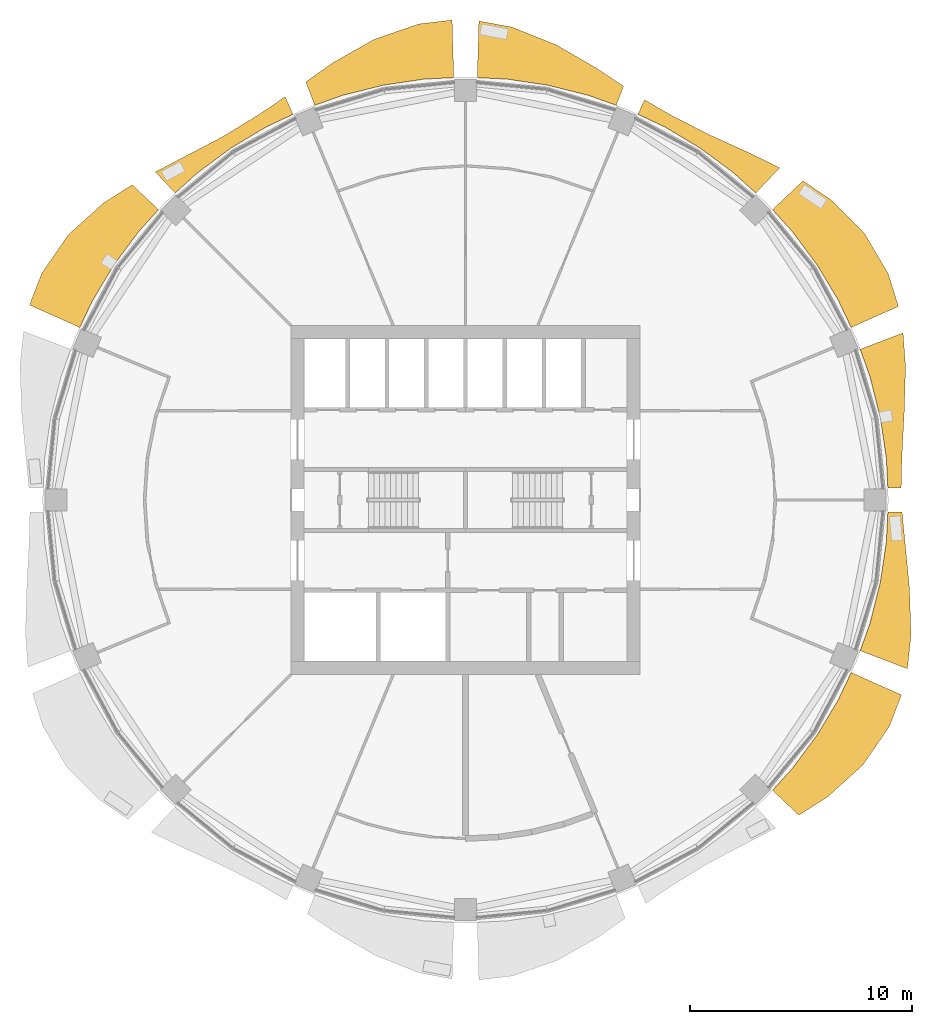
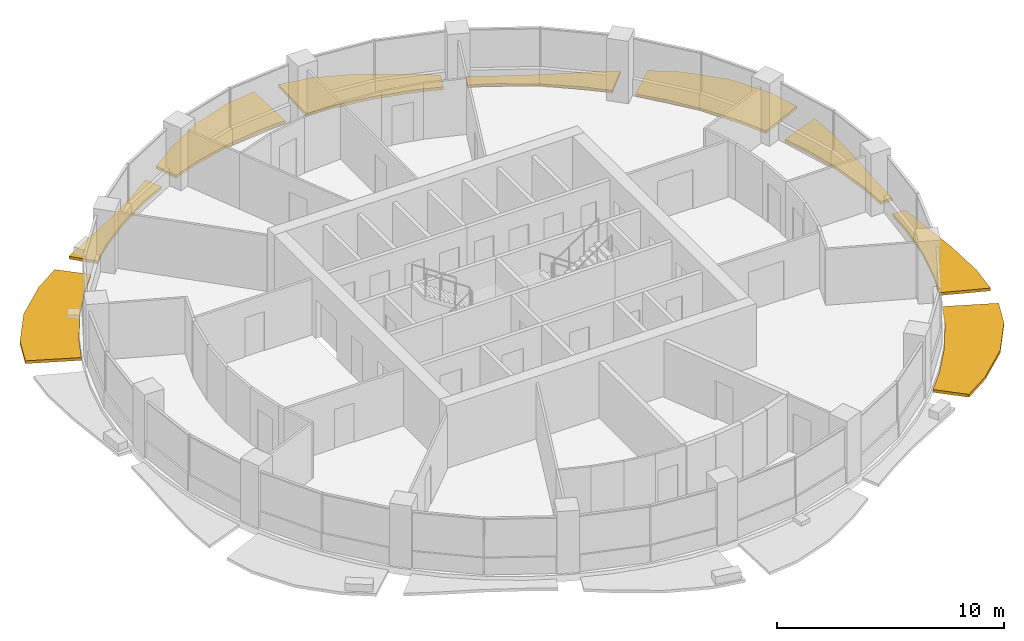
# One storey, part 14 of 15: 9 shading devices.
"""IFC4 building model written with IfcOpenShell, lengths in metres."""

from ifc_helpers import new_model, si_unit, direction, frame, origin, place, context, subcontext, project, spatial, polyline, outline, extrude, material, type_object, element, save


model = new_model("IFC4")

# Units and contexts
model_context = context("Model", 3, precision=1e-05, world=origin(), true_north=direction((0.0, 1.0)))
body_context = subcontext(model_context, "Body", "Model", "MODEL_VIEW")
ifc_project = project(units=[si_unit("LENGTHUNIT", "METRE"), si_unit("AREAUNIT", "SQUARE_METRE"), si_unit("VOLUMEUNIT", "CUBIC_METRE"), si_unit("PLANEANGLEUNIT", "RADIAN"), si_unit("MASSUNIT", "GRAM", prefix="KILO")], contexts=[model_context])

# Site, building, storey
site_placement = place(None, origin())
site = spatial("IfcSite", under=ifc_project, at=site_placement, CompositionType="ELEMENT")
building_placement = place(site_placement, origin())
building = spatial("IfcBuilding", under=site, at=building_placement, Name="Polderwave Tower", CompositionType="ELEMENT")
storey_placement = place(building_placement, frame((0.0, 0.0, 127.64990234375)))
storey = spatial("IfcBuildingStorey", under=building, at=storey_placement, Name="L33", CompositionType="ELEMENT", Elevation=127.64990234375)

# Shading devices
ifc_material = material(Name="Terracotta", Category="masonry")
shading_device_type = type_object("IfcShadingDeviceType", Name="Terracotta sunshade band", PredefinedType="USERDEFINED", material=ifc_material)
shading_device_1_placement = place(storey_placement, frame((0.0, 0.0, -0.349853515625)))
element("IfcShadingDevice", 1, at=shading_device_1_placement, inside=storey, type_object=shading_device_type, Name="Sunshade band L33 1", ObjectType="SUNSHADE", PredefinedType="USERDEFINED", context=body_context, shape_type="SweptSolid", body=[
    extrude(outline(polyline([(19.033935546875, 0.52978515625), (18.96826171875, 1.8681640625), (18.69384765625, 3.718505859375), (18.2392578125, 5.53271484375), (17.787841796875, 6.79443359375), (19.72021484375, 7.532470703125), (19.8330078125, 6.016357421875), (19.772705078125, 3.93310546875), (19.66796875, 1.93701171875), (19.634521484375, 0.546630859375), (19.033935546875, 0.52978515625)])), origin(), (0.0, 0.0, 1.0), 0.14990234375),
])
shading_device_2_placement = place(storey_placement, frame((0.0, 0.0, -0.349853515625)))
element("IfcShadingDevice", 2, at=shading_device_2_placement, inside=storey, type_object=shading_device_type, Name="Sunshade band L33 2", ObjectType="SUNSHADE", PredefinedType="USERDEFINED", context=body_context, shape_type="SweptSolid", body=[
    extrude(outline(polyline([(17.38232421875, 7.7734375), (16.809326171875, 8.98486328125), (15.847900390625, 10.589111328125), (14.733642578125, 12.091552734375), (13.833740234375, 13.08447265625), (15.209228515625, 14.385498046875), (16.47998046875, 13.52490234375), (17.981201171875, 12.0146484375), (19.0556640625, 10.185302734375), (19.51123046875, 8.7255859375), (17.38232421875, 7.7734375)])), origin(), (0.0, 0.0, 1.0), 0.14990234375),
])
shading_device_3_placement = place(storey_placement, frame((0.0, 0.0, -0.349853515625)))
element("IfcShadingDevice", 3, at=shading_device_3_placement, inside=storey, type_object=shading_device_type, Name="Sunshade band L33 3", ObjectType="SUNSHADE", PredefinedType="USERDEFINED", context=body_context, shape_type="SweptSolid", body=[
    extrude(outline(polyline([(13.08447265625, 13.833740234375), (12.091552734375, 14.733642578125), (10.589111328125, 15.847900390625), (8.98486328125, 16.809326171875), (7.7734375, 17.38232421875), (8.066162109375, 18.036376953125), (9.268798828125, 17.340576171875), (10.996826171875, 16.4580078125), (12.825927734375, 15.62841796875), (14.158935546875, 14.969970703125), (13.08447265625, 13.833740234375)])), origin(), (0.0, 0.0, 1.0), 0.14990234375),
])
shading_device_4_placement = place(storey_placement, frame((0.0, 0.0, -0.349853515625)))
element("IfcShadingDevice", 4, at=shading_device_4_placement, inside=storey, type_object=shading_device_type, Name="Sunshade band L33 4", ObjectType="SUNSHADE", PredefinedType="USERDEFINED", context=body_context, shape_type="SweptSolid", body=[
    extrude(outline(polyline([(6.79443359375, 17.787841796875), (5.53271484375, 18.2392578125), (3.718505859375, 18.69384765625), (1.8681640625, 18.96826171875), (0.52978515625, 19.033935546875), (0.60107421875, 21.589111328125), (2.0986328125, 21.308837890625), (4.0810546875, 20.516845703125), (5.904052734375, 19.462890625), (7.122314453125, 18.646240234375), (6.79443359375, 17.787841796875)])), origin(), (0.0, 0.0, 1.0), 0.14990234375),
])
shading_device_5_placement = place(storey_placement, frame((0.0, 0.0, -0.349853515625)))
element("IfcShadingDevice", 5, at=shading_device_5_placement, inside=storey, type_object=shading_device_type, Name="Sunshade band L33 5", ObjectType="SUNSHADE", PredefinedType="USERDEFINED", context=body_context, shape_type="SweptSolid", body=[
    extrude(outline(polyline([(-0.52978515625, 19.033935546875), (-1.8681640625, 18.96826171875), (-3.718505859375, 18.69384765625), (-5.53271484375, 18.2392578125), (-6.79443359375, 17.787841796875), (-7.1982421875, 18.844970703125), (-5.978271484375, 19.707763671875), (-4.128173828125, 20.75341796875), (-2.11279296875, 21.452880859375), (-0.602294921875, 21.63232421875), (-0.52978515625, 19.033935546875)])), origin(), (0.0, 0.0, 1.0), 0.14990234375),
])
shading_device_6_placement = place(storey_placement, frame((0.0, 0.0, -0.349853515625)))
element("IfcShadingDevice", 6, at=shading_device_6_placement, inside=storey, type_object=shading_device_type, Name="Sunshade band L33 6", ObjectType="SUNSHADE", PredefinedType="USERDEFINED", context=body_context, shape_type="SweptSolid", body=[
    extrude(outline(polyline([(-7.7734375, 17.38232421875), (-8.98486328125, 16.809326171875), (-10.589111328125, 15.847900390625), (-12.091552734375, 14.733642578125), (-13.08447265625, 13.833740234375), (-13.982177734375, 14.782958984375), (-12.688232421875, 15.460693359375), (-10.94140625, 16.375), (-9.292724609375, 17.385498046875), (-8.127685546875, 18.174560546875), (-7.7734375, 17.38232421875)])), origin(), (0.0, 0.0, 1.0), 0.14990234375),
])
shading_device_7_placement = place(storey_placement, frame((0.0, 0.0, -0.349853515625)))
element("IfcShadingDevice", 7, at=shading_device_7_placement, inside=storey, type_object=shading_device_type, Name="Sunshade band L33 7", ObjectType="SUNSHADE", PredefinedType="USERDEFINED", context=body_context, shape_type="SweptSolid", body=[
    extrude(outline(polyline([(-13.833740234375, 13.08447265625), (-14.733642578125, 12.091552734375), (-15.847900390625, 10.589111328125), (-16.809326171875, 8.98486328125), (-17.38232421875, 7.7734375), (-19.6494140625, 8.787353515625), (-19.1005859375, 10.20947265625), (-17.898193359375, 11.959228515625), (-16.312255859375, 13.38720703125), (-15.0224609375, 14.208740234375), (-13.833740234375, 13.08447265625)])), origin(), (0.0, 0.0, 1.0), 0.14990234375),
])
shading_device_8_placement = place(storey_placement, frame((0.0, 0.0, -0.349853515625)))
element("IfcShadingDevice", 8, at=shading_device_8_placement, inside=storey, type_object=shading_device_type, Name="Sunshade band L33 15", ObjectType="SUNSHADE", PredefinedType="USERDEFINED", context=body_context, shape_type="SweptSolid", body=[
    extrude(outline(polyline([(13.833740234375, -13.08447265625), (14.733642578125, -12.091552734375), (15.847900390625, -10.589111328125), (16.809326171875, -8.98486328125), (17.38232421875, -7.7734375), (19.6494140625, -8.787353515625), (19.1005859375, -10.20947265625), (17.898193359375, -11.959228515625), (16.312255859375, -13.38720703125), (15.0224609375, -14.208740234375), (13.833740234375, -13.08447265625)])), origin(), (0.0, 0.0, 1.0), 0.14990234375),
])
shading_device_9_placement = place(storey_placement, frame((0.0, 0.0, -0.349853515625)))
element("IfcShadingDevice", 9, at=shading_device_9_placement, inside=storey, type_object=shading_device_type, Name="Sunshade band L33 16", ObjectType="SUNSHADE", PredefinedType="USERDEFINED", context=body_context, shape_type="SweptSolid", body=[
    extrude(outline(polyline([(17.787841796875, -6.79443359375), (18.2392578125, -5.53271484375), (18.69384765625, -3.718505859375), (18.96826171875, -1.8681640625), (19.033935546875, -0.52978515625), (19.677734375, -0.5478515625), (19.812255859375, -1.951416015625), (20.009033203125, -3.97998046875), (20.077880859375, -6.090576171875), (19.918701171875, -7.6083984375), (17.787841796875, -6.79443359375)])), origin(), (0.0, 0.0, 1.0), 0.14990234375),
])

save(model, "model.ifc")
